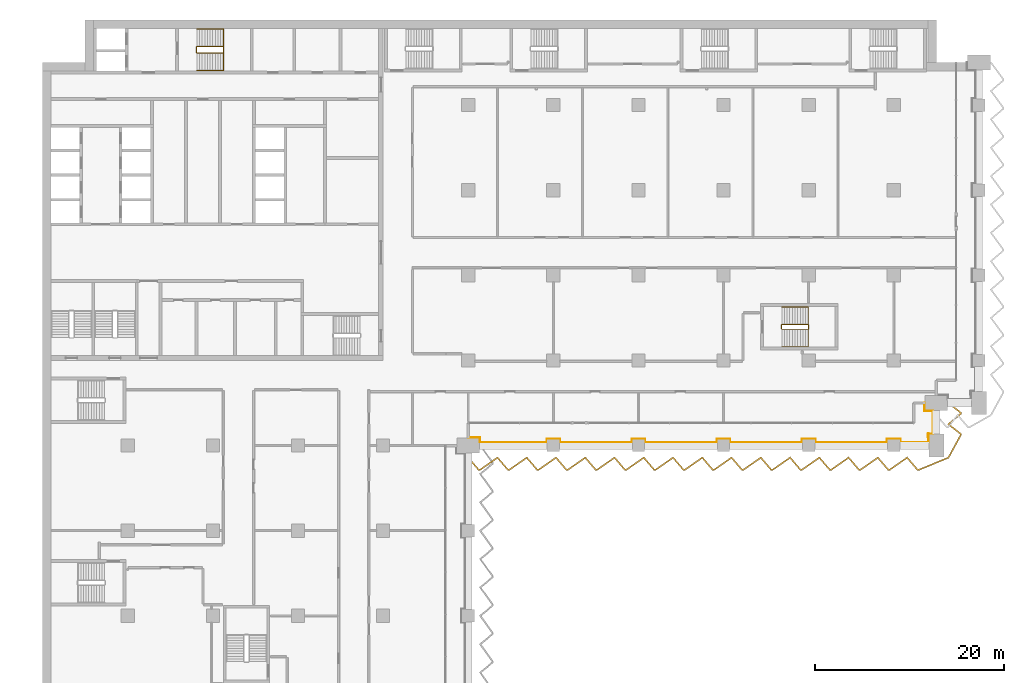
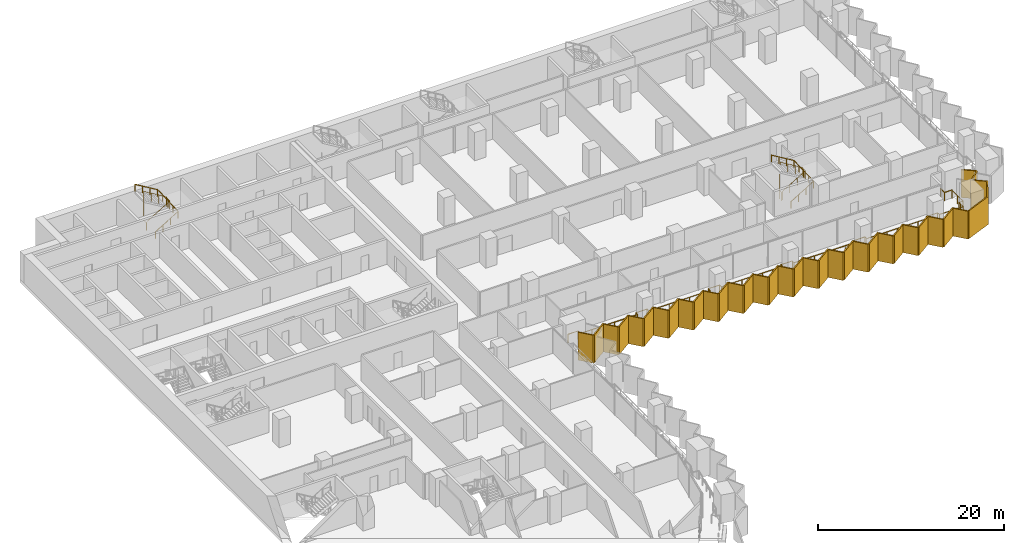
# One storey, part 27 of 29: 5 railings, 1 shading device.
"""IFC4 building model written with IfcOpenShell, lengths in metres."""

from ifc_helpers import new_model, si_unit, direction, frame, origin, origin_2d, place, context, subcontext, project, spatial, polyline, circle, outline, extrude, material, layer, layer_set, type_object, element, save


model = new_model("IFC4")

# Units and contexts
model_context = context("Model", 3, precision=1e-05, world=origin(), true_north=direction((0.0, 1.0)))
body_context = subcontext(model_context, "Body", "Model", "MODEL_VIEW")
ifc_project = project(units=[si_unit("LENGTHUNIT", "METRE"), si_unit("AREAUNIT", "SQUARE_METRE"), si_unit("VOLUMEUNIT", "CUBIC_METRE"), si_unit("PLANEANGLEUNIT", "RADIAN"), si_unit("MASSUNIT", "GRAM", prefix="KILO")], contexts=[model_context])

# Site, building, storey
site_placement = place(None, origin())
site = spatial("IfcSite", under=ifc_project, at=site_placement, CompositionType="ELEMENT")
building_placement = place(site_placement, origin())
building = spatial("IfcBuilding", under=site, at=building_placement, Name="Hunhe Ridgeline Campus", CompositionType="ELEMENT")
storey_placement = place(building_placement, frame((0.0, 0.0, 54.300048828125)))
storey = spatial("IfcBuildingStorey", under=building, at=storey_placement, Name="L12", CompositionType="ELEMENT", Elevation=54.300048828125)

# Railing
ifc_material_1 = material(Name="Steel Q355", Category="steel")
railing_type_1 = type_object("IfcRailingType", Name="Loggia guard 1100 Steel Q355", PredefinedType="GUARDRAIL", material=ifc_material_1)
railing_1_placement = place(storey_placement, frame((45.0, 54.8701171875, 0.0)))
element("IfcRailing", 1, at=railing_1_placement, inside=storey, type_object=railing_type_1, Name="Loggia guard 2", PredefinedType="GUARDRAIL", context=body_context, shape_type="SweptSolid", body=[
    extrude(circle(Radius=0.02392578125, at=origin_2d()), frame((0.0, 0.0, 1.076171875), z_axis=(1.0, 0.0, 0.0), x_axis=(0.0, 1.0, 0.0)), (0.0, 0.0, 1.0), 1.25),
    extrude(circle(Radius=0.02392578125, at=origin_2d()), frame((1.25, 0.0, 1.076171875), z_axis=(0.0, -1.0, 0.0), x_axis=(1.0, 0.0, 0.0)), (0.0, 0.0, 1.0), 0.52001953125),
    extrude(circle(Radius=0.02392578125, at=origin_2d()), frame((1.25, -0.52001953125, 1.076171875), z_axis=(1.0, 0.0, 0.0), x_axis=(0.0, 1.0, 0.0)), (0.0, 0.0, 1.0), 7.050048828125),
    extrude(circle(Radius=0.02392578125, at=origin_2d()), frame((8.300048828125, -0.52001953125, 1.076171875), z_axis=(0.0, 1.0, 0.0), x_axis=(-1.0, 0.0, 0.0)), (0.0, 0.0, 1.0), 0.369873046875),
    extrude(circle(Radius=0.02392578125, at=origin_2d()), frame((8.300048828125, -0.150146484375, 1.076171875), z_axis=(1.0, 0.0, 0.0), x_axis=(0.0, 1.0, 0.0)), (0.0, 0.0, 1.0), 1.39990234375),
    extrude(circle(Radius=0.02392578125, at=origin_2d()), frame((9.699951171875, -0.150146484375, 1.076171875), z_axis=(0.0, -1.0, 0.0), x_axis=(1.0, 0.0, 0.0)), (0.0, 0.0, 1.0), 0.369873046875),
    extrude(circle(Radius=0.02392578125, at=origin_2d()), frame((9.699951171875, -0.52001953125, 1.076171875), z_axis=(1.0, 0.0, 0.0), x_axis=(0.0, 1.0, 0.0)), (0.0, 0.0, 1.0), 7.60009765625),
    extrude(circle(Radius=0.02392578125, at=origin_2d()), frame((17.300048828125, -0.52001953125, 1.076171875), z_axis=(0.0, 1.0, 0.0), x_axis=(-1.0, 0.0, 0.0)), (0.0, 0.0, 1.0), 0.369873046875),
    extrude(circle(Radius=0.02392578125, at=origin_2d()), frame((17.300048828125, -0.150146484375, 1.076171875), z_axis=(1.0, 0.0, 0.0), x_axis=(0.0, 1.0, 0.0)), (0.0, 0.0, 1.0), 1.39990234375),
    extrude(circle(Radius=0.02392578125, at=origin_2d()), frame((18.699951171875, -0.150146484375, 1.076171875), z_axis=(0.0, -1.0, 0.0), x_axis=(1.0, 0.0, 0.0)), (0.0, 0.0, 1.0), 0.369873046875),
    extrude(circle(Radius=0.02392578125, at=origin_2d()), frame((18.699951171875, -0.52001953125, 1.076171875), z_axis=(1.0, 0.0, 0.0), x_axis=(0.0, 1.0, 0.0)), (0.0, 0.0, 1.0), 7.60009765625),
    extrude(circle(Radius=0.02392578125, at=origin_2d()), frame((26.300048828125, -0.52001953125, 1.076171875), z_axis=(0.0, 1.0, 0.0), x_axis=(-1.0, 0.0, 0.0)), (0.0, 0.0, 1.0), 0.369873046875),
    extrude(circle(Radius=0.02392578125, at=origin_2d()), frame((26.300048828125, -0.150146484375, 1.076171875), z_axis=(1.0, 0.0, 0.0), x_axis=(0.0, 1.0, 0.0)), (0.0, 0.0, 1.0), 1.39990234375),
    extrude(circle(Radius=0.02392578125, at=origin_2d()), frame((27.699951171875, -0.150146484375, 1.076171875), z_axis=(0.0, -1.0, 0.0), x_axis=(1.0, 0.0, 0.0)), (0.0, 0.0, 1.0), 0.369873046875),
    extrude(circle(Radius=0.02392578125, at=origin_2d()), frame((27.699951171875, -0.52001953125, 1.076171875), z_axis=(1.0, 0.0, 0.0), x_axis=(0.0, 1.0, 0.0)), (0.0, 0.0, 1.0), 7.60009765625),
    extrude(circle(Radius=0.02392578125, at=origin_2d()), frame((35.300048828125, -0.52001953125, 1.076171875), z_axis=(0.0, 1.0, 0.0), x_axis=(-1.0, 0.0, 0.0)), (0.0, 0.0, 1.0), 0.369873046875),
    extrude(circle(Radius=0.02392578125, at=origin_2d()), frame((35.300048828125, -0.150146484375, 1.076171875), z_axis=(1.0, 0.0, 0.0), x_axis=(0.0, 1.0, 0.0)), (0.0, 0.0, 1.0), 1.39990234375),
    extrude(circle(Radius=0.02392578125, at=origin_2d()), frame((36.699951171875, -0.150146484375, 1.076171875), z_axis=(0.0, -1.0, 0.0), x_axis=(1.0, 0.0, 0.0)), (0.0, 0.0, 1.0), 0.369873046875),
    extrude(circle(Radius=0.02392578125, at=origin_2d()), frame((36.699951171875, -0.52001953125, 1.076171875), z_axis=(1.0, 0.0, 0.0), x_axis=(0.0, 1.0, 0.0)), (0.0, 0.0, 1.0), 7.60009765625),
    extrude(circle(Radius=0.02392578125, at=origin_2d()), frame((44.300048828125, -0.52001953125, 1.076171875), z_axis=(0.0, 1.0, 0.0), x_axis=(-1.0, 0.0, 0.0)), (0.0, 0.0, 1.0), 0.369873046875),
    extrude(circle(Radius=0.02392578125, at=origin_2d()), frame((44.300048828125, -0.150146484375, 1.076171875), z_axis=(1.0, 0.0, 0.0), x_axis=(0.0, 1.0, 0.0)), (0.0, 0.0, 1.0), 1.39990234375),
    extrude(circle(Radius=0.02392578125, at=origin_2d()), frame((45.699951171875, -0.150146484375, 1.076171875), z_axis=(0.0, -1.0, 0.0), x_axis=(1.0, 0.0, 0.0)), (0.0, 0.0, 1.0), 0.369873046875),
    extrude(circle(Radius=0.02392578125, at=origin_2d()), frame((45.699951171875, -0.52001953125, 1.076171875), z_axis=(1.0, 0.0, 0.0), x_axis=(0.0, 1.0, 0.0)), (0.0, 0.0, 1.0), 2.949951171875),
    extrude(circle(Radius=0.02392578125, at=origin_2d()), frame((48.64990234375, -0.52001953125, 1.076171875), z_axis=(0.0, 1.0, 0.0), x_axis=(-1.0, 0.0, 0.0)), (0.0, 0.0, 1.0), 0.919921875),
    extrude(circle(Radius=0.02392578125, at=origin_2d()), frame((48.64990234375, 0.39990234375, 1.076171875), z_axis=(-0.049998438503, -0.998749295943, 0.0), x_axis=(0.998749295943, -0.049998438503, 0.0)), (0.0, 0.0, 1.0), 0.400390625),
    extrude(circle(Radius=0.02392578125, at=origin_2d()), frame((48.6298828125, 0.0, 1.076171875), z_axis=(0.0, 1.0, 0.0), x_axis=(-1.0, 0.0, 0.0)), (0.0, 0.0, 1.0), 0.3798828125),
    extrude(circle(Radius=0.02392578125, at=origin_2d()), frame((48.6298828125, 0.3798828125, 1.076171875), z_axis=(1.0, 0.0, 0.0), x_axis=(0.0, 1.0, 0.0)), (0.0, 0.0, 1.0), 0.52001953125),
    extrude(circle(Radius=0.02392578125, at=origin_2d()), frame((49.14990234375, 0.3798828125, 1.076171875), z_axis=(0.0, 1.0, 0.0), x_axis=(-1.0, 0.0, 0.0)), (0.0, 0.0, 1.0), 2.39990234375),
    extrude(circle(Radius=0.02392578125, at=origin_2d()), frame((49.14990234375, 2.77978515625, 1.076171875), z_axis=(-1.0, 0.0, 0.0), x_axis=(0.0, -1.0, 0.0)), (0.0, 0.0, 1.0), 0.919921875),
    extrude(circle(Radius=0.02392578125, at=origin_2d()), frame((48.22998046875, 2.77978515625, 1.076171875), z_axis=(0.0, 1.0, 0.0), x_axis=(-1.0, 0.0, 0.0)), (0.0, 0.0, 1.0), 0.85009765625),
    extrude(circle(Radius=0.02099609375, at=origin_2d()), origin(), (0.0, 0.0, 1.0), 1.052001953125),
    extrude(circle(Radius=0.02099609375, at=origin_2d()), frame((1.25, 0.0, 0.0)), (0.0, 0.0, 1.0), 1.052001953125),
    extrude(circle(Radius=0.02099609375, at=origin_2d()), frame((1.25, -0.52001953125, 0.0)), (0.0, 0.0, 1.0), 1.052001953125),
    extrude(circle(Radius=0.02099609375, at=origin_2d()), frame((2.659912109375, -0.52001953125, 0.0)), (0.0, 0.0, 1.0), 1.052001953125),
    extrude(circle(Radius=0.02099609375, at=origin_2d()), frame((4.070068359375, -0.52001953125, 0.0)), (0.0, 0.0, 1.0), 1.052001953125),
    extrude(circle(Radius=0.02099609375, at=origin_2d()), frame((5.47998046875, -0.52001953125, 0.0)), (0.0, 0.0, 1.0), 1.052001953125),
    extrude(circle(Radius=0.02099609375, at=origin_2d()), frame((6.89013671875, -0.52001953125, 0.0)), (0.0, 0.0, 1.0), 1.052001953125),
    extrude(circle(Radius=0.02099609375, at=origin_2d()), frame((8.300048828125, -0.52001953125, 0.0)), (0.0, 0.0, 1.0), 1.052001953125),
    extrude(circle(Radius=0.02099609375, at=origin_2d()), frame((8.300048828125, -0.150146484375, 0.0)), (0.0, 0.0, 1.0), 1.052001953125),
    extrude(circle(Radius=0.02099609375, at=origin_2d()), frame((9.699951171875, -0.150146484375, 0.0)), (0.0, 0.0, 1.0), 1.052001953125),
    extrude(circle(Radius=0.02099609375, at=origin_2d()), frame((9.699951171875, -0.52001953125, 0.0)), (0.0, 0.0, 1.0), 1.052001953125),
    extrude(circle(Radius=0.02099609375, at=origin_2d()), frame((10.966552734375, -0.52001953125, 0.0)), (0.0, 0.0, 1.0), 1.052001953125),
    extrude(circle(Radius=0.02099609375, at=origin_2d()), frame((12.2333984375, -0.52001953125, 0.0)), (0.0, 0.0, 1.0), 1.052001953125),
    extrude(circle(Radius=0.02099609375, at=origin_2d()), frame((13.5, -0.52001953125, 0.0)), (0.0, 0.0, 1.0), 1.052001953125),
    extrude(circle(Radius=0.02099609375, at=origin_2d()), frame((14.7666015625, -0.52001953125, 0.0)), (0.0, 0.0, 1.0), 1.052001953125),
    extrude(circle(Radius=0.02099609375, at=origin_2d()), frame((16.033447265625, -0.52001953125, 0.0)), (0.0, 0.0, 1.0), 1.052001953125),
    extrude(circle(Radius=0.02099609375, at=origin_2d()), frame((17.300048828125, -0.52001953125, 0.0)), (0.0, 0.0, 1.0), 1.052001953125),
    extrude(circle(Radius=0.02099609375, at=origin_2d()), frame((17.300048828125, -0.150146484375, 0.0)), (0.0, 0.0, 1.0), 1.052001953125),
    extrude(circle(Radius=0.02099609375, at=origin_2d()), frame((18.699951171875, -0.150146484375, 0.0)), (0.0, 0.0, 1.0), 1.052001953125),
    extrude(circle(Radius=0.02099609375, at=origin_2d()), frame((18.699951171875, -0.52001953125, 0.0)), (0.0, 0.0, 1.0), 1.052001953125),
    extrude(circle(Radius=0.02099609375, at=origin_2d()), frame((19.966552734375, -0.52001953125, 0.0)), (0.0, 0.0, 1.0), 1.052001953125),
    extrude(circle(Radius=0.02099609375, at=origin_2d()), frame((21.2333984375, -0.52001953125, 0.0)), (0.0, 0.0, 1.0), 1.052001953125),
    extrude(circle(Radius=0.02099609375, at=origin_2d()), frame((22.5, -0.52001953125, 0.0)), (0.0, 0.0, 1.0), 1.052001953125),
    extrude(circle(Radius=0.02099609375, at=origin_2d()), frame((23.7666015625, -0.52001953125, 0.0)), (0.0, 0.0, 1.0), 1.052001953125),
    extrude(circle(Radius=0.02099609375, at=origin_2d()), frame((25.033447265625, -0.52001953125, 0.0)), (0.0, 0.0, 1.0), 1.052001953125),
    extrude(circle(Radius=0.02099609375, at=origin_2d()), frame((26.300048828125, -0.52001953125, 0.0)), (0.0, 0.0, 1.0), 1.052001953125),
    extrude(circle(Radius=0.02099609375, at=origin_2d()), frame((26.300048828125, -0.150146484375, 0.0)), (0.0, 0.0, 1.0), 1.052001953125),
    extrude(circle(Radius=0.02099609375, at=origin_2d()), frame((27.699951171875, -0.150146484375, 0.0)), (0.0, 0.0, 1.0), 1.052001953125),
    extrude(circle(Radius=0.02099609375, at=origin_2d()), frame((27.699951171875, -0.52001953125, 0.0)), (0.0, 0.0, 1.0), 1.052001953125),
    extrude(circle(Radius=0.02099609375, at=origin_2d()), frame((28.966552734375, -0.52001953125, 0.0)), (0.0, 0.0, 1.0), 1.052001953125),
    extrude(circle(Radius=0.02099609375, at=origin_2d()), frame((30.2333984375, -0.52001953125, 0.0)), (0.0, 0.0, 1.0), 1.052001953125),
    extrude(circle(Radius=0.02099609375, at=origin_2d()), frame((31.5, -0.52001953125, 0.0)), (0.0, 0.0, 1.0), 1.052001953125),
    extrude(circle(Radius=0.02099609375, at=origin_2d()), frame((32.7666015625, -0.52001953125, 0.0)), (0.0, 0.0, 1.0), 1.052001953125),
    extrude(circle(Radius=0.02099609375, at=origin_2d()), frame((34.033447265625, -0.52001953125, 0.0)), (0.0, 0.0, 1.0), 1.052001953125),
    extrude(circle(Radius=0.02099609375, at=origin_2d()), frame((35.300048828125, -0.52001953125, 0.0)), (0.0, 0.0, 1.0), 1.052001953125),
    extrude(circle(Radius=0.02099609375, at=origin_2d()), frame((35.300048828125, -0.150146484375, 0.0)), (0.0, 0.0, 1.0), 1.052001953125),
    extrude(circle(Radius=0.02099609375, at=origin_2d()), frame((36.699951171875, -0.150146484375, 0.0)), (0.0, 0.0, 1.0), 1.052001953125),
    extrude(circle(Radius=0.02099609375, at=origin_2d()), frame((36.699951171875, -0.52001953125, 0.0)), (0.0, 0.0, 1.0), 1.052001953125),
    extrude(circle(Radius=0.02099609375, at=origin_2d()), frame((37.966552734375, -0.52001953125, 0.0)), (0.0, 0.0, 1.0), 1.052001953125),
    extrude(circle(Radius=0.02099609375, at=origin_2d()), frame((39.2333984375, -0.52001953125, 0.0)), (0.0, 0.0, 1.0), 1.052001953125),
    extrude(circle(Radius=0.02099609375, at=origin_2d()), frame((40.5, -0.52001953125, 0.0)), (0.0, 0.0, 1.0), 1.052001953125),
    extrude(circle(Radius=0.02099609375, at=origin_2d()), frame((41.7666015625, -0.52001953125, 0.0)), (0.0, 0.0, 1.0), 1.052001953125),
    extrude(circle(Radius=0.02099609375, at=origin_2d()), frame((43.033447265625, -0.52001953125, 0.0)), (0.0, 0.0, 1.0), 1.052001953125),
    extrude(circle(Radius=0.02099609375, at=origin_2d()), frame((44.300048828125, -0.52001953125, 0.0)), (0.0, 0.0, 1.0), 1.052001953125),
    extrude(circle(Radius=0.02099609375, at=origin_2d()), frame((44.300048828125, -0.150146484375, 0.0)), (0.0, 0.0, 1.0), 1.052001953125),
    extrude(circle(Radius=0.02099609375, at=origin_2d()), frame((45.699951171875, -0.150146484375, 0.0)), (0.0, 0.0, 1.0), 1.052001953125),
    extrude(circle(Radius=0.02099609375, at=origin_2d()), frame((45.699951171875, -0.52001953125, 0.0)), (0.0, 0.0, 1.0), 1.052001953125),
    extrude(circle(Radius=0.02099609375, at=origin_2d()), frame((47.1748046875, -0.52001953125, 0.0)), (0.0, 0.0, 1.0), 1.052001953125),
    extrude(circle(Radius=0.02099609375, at=origin_2d()), frame((48.64990234375, -0.52001953125, 0.0)), (0.0, 0.0, 1.0), 1.052001953125),
    extrude(circle(Radius=0.02099609375, at=origin_2d()), frame((48.64990234375, 0.39990234375, 0.0)), (0.0, 0.0, 1.0), 1.052001953125),
    extrude(circle(Radius=0.02099609375, at=origin_2d()), frame((48.6298828125, 0.0, 0.0)), (0.0, 0.0, 1.0), 1.052001953125),
    extrude(circle(Radius=0.02099609375, at=origin_2d()), frame((48.6298828125, 0.3798828125, 0.0)), (0.0, 0.0, 1.0), 1.052001953125),
    extrude(circle(Radius=0.02099609375, at=origin_2d()), frame((49.14990234375, 0.3798828125, 0.0)), (0.0, 0.0, 1.0), 1.052001953125),
    extrude(circle(Radius=0.02099609375, at=origin_2d()), frame((49.14990234375, 1.579833984375, 0.0)), (0.0, 0.0, 1.0), 1.052001953125),
    extrude(circle(Radius=0.02099609375, at=origin_2d()), frame((49.14990234375, 2.77978515625, 0.0)), (0.0, 0.0, 1.0), 1.052001953125),
    extrude(circle(Radius=0.02099609375, at=origin_2d()), frame((48.22998046875, 2.77978515625, 0.0)), (0.0, 0.0, 1.0), 1.052001953125),
    extrude(circle(Radius=0.02099609375, at=origin_2d()), frame((48.22998046875, 3.6298828125, 0.0)), (0.0, 0.0, 1.0), 1.052001953125),
])

# Shading device
ifc_material_2 = material(Name="Concrete C50", Category="concrete")
ifc_layer = layer(ifc_material_2, 0.14990234375)
ifc_layer_set = layer_set([ifc_layer], Name="Sawtooth concrete fin 150 Concrete C50")
shading_device_type = type_object("IfcShadingDeviceType", Name="Sawtooth concrete fin 150 Concrete C50", PredefinedType="USERDEFINED", material=ifc_layer_set)
shading_device_placement = place(storey_placement, frame((0.0, 0.0, -0.949951171875)))
element("IfcShadingDevice", 2, at=shading_device_placement, inside=storey, type_object=shading_device_type, Name="Concrete fin screen 2", ObjectType="FIN", PredefinedType="USERDEFINED", context=body_context, shape_type="SweptSolid", body=[
    extrude(outline(polyline([(45.05712890625, 52.773681640625), (44.94287109375, 52.67626953125), (46.07470703125, 51.35009765625), (46.2529296875, 51.35009765625), (48.080810546875, 52.62451171875), (49.16845703125, 51.35009765625), (49.3466796875, 51.35009765625), (51.174560546875, 52.62451171875), (52.26220703125, 51.35009765625), (52.4404296875, 51.35009765625), (54.268310546875, 52.62451171875), (55.35595703125, 51.35009765625), (55.5341796875, 51.35009765625), (57.362060546875, 52.62451171875), (58.44970703125, 51.35009765625), (58.6279296875, 51.35009765625), (60.455810546875, 52.62451171875), (61.54345703125, 51.35009765625), (61.7216796875, 51.35009765625), (63.549560546875, 52.62451171875), (64.63720703125, 51.35009765625), (64.8154296875, 51.35009765625), (66.643310546875, 52.62451171875), (67.73095703125, 51.35009765625), (67.9091796875, 51.35009765625), (69.737060546875, 52.62451171875), (70.82470703125, 51.35009765625), (71.0029296875, 51.35009765625), (72.830810546875, 52.62451171875), (73.91845703125, 51.35009765625), (74.0966796875, 51.35009765625), (75.924560546875, 52.62451171875), (77.01220703125, 51.35009765625), (77.1904296875, 51.35009765625), (79.018310546875, 52.62451171875), (80.10595703125, 51.35009765625), (80.2841796875, 51.35009765625), (82.112060546875, 52.62451171875), (83.19970703125, 51.35009765625), (83.3779296875, 51.35009765625), (85.205810546875, 52.62451171875), (86.29345703125, 51.35009765625), (86.4716796875, 51.35009765625), (88.299560546875, 52.62451171875), (89.38720703125, 51.35009765625), (89.5654296875, 51.35009765625), (91.393310546875, 52.62451171875), (92.48095703125, 51.35009765625), (92.650390625, 51.35009765625), (95.828125, 52.665771484375), (97.14990234375, 55.090087890625), (97.14990234375, 55.265869140625), (95.893310546875, 56.25244140625), (97.14990234375, 57.32470703125), (97.14990234375, 57.515869140625), (95.8212890625, 58.55908203125), (95.728759765625, 58.44091796875), (97.0, 57.44287109375), (97.0, 57.393798828125), (95.65673828125, 56.24755859375), (97.0, 55.19287109375), (97.0, 55.12841796875), (95.721923828125, 52.7841796875), (92.62060546875, 51.5), (92.550048828125, 51.5), (91.419189453125, 52.825439453125), (89.518310546875, 51.5), (89.456298828125, 51.5), (88.325439453125, 52.825439453125), (86.424560546875, 51.5), (86.362548828125, 51.5), (85.231689453125, 52.825439453125), (83.330810546875, 51.5), (83.268798828125, 51.5), (82.137939453125, 52.825439453125), (80.237060546875, 51.5), (80.175048828125, 51.5), (79.044189453125, 52.825439453125), (77.143310546875, 51.5), (77.081298828125, 51.5), (75.950439453125, 52.825439453125), (74.049560546875, 51.5), (73.987548828125, 51.5), (72.856689453125, 52.825439453125), (70.955810546875, 51.5), (70.893798828125, 51.5), (69.762939453125, 52.825439453125), (67.862060546875, 51.5), (67.800048828125, 51.5), (66.669189453125, 52.825439453125), (64.768310546875, 51.5), (64.706298828125, 51.5), (63.575439453125, 52.825439453125), (61.674560546875, 51.5), (61.612548828125, 51.5), (60.481689453125, 52.825439453125), (58.580810546875, 51.5), (58.518798828125, 51.5), (57.387939453125, 52.825439453125), (55.487060546875, 51.5), (55.425048828125, 51.5), (54.294189453125, 52.825439453125), (52.393310546875, 51.5), (52.331298828125, 51.5), (51.200439453125, 52.825439453125), (49.299560546875, 51.5), (49.237548828125, 51.5), (48.106689453125, 52.825439453125), (46.205810546875, 51.5), (46.143798828125, 51.5), (45.05712890625, 52.773681640625)])), origin(), (0.0, 0.0, 1.0), 3.64990234375),
])

# Railings
ifc_material_3 = material(Name="Stainless steel balustrade", Category="steel")
railing_type_2 = type_object("IfcRailingType", Name="Stair guard 1100 stainless", PredefinedType="GUARDRAIL", material=ifc_material_3)
railing_2_placement = place(storey_placement, frame((16.300048828125, 95.5, 0.168212890625)))
element("IfcRailing", 3, at=railing_2_placement, inside=storey, type_object=railing_type_2, Name="L12 stair S1 guard", PredefinedType="GUARDRAIL", context=body_context, shape_type="SweptSolid", body=[
    extrude(circle(Radius=0.02392578125, at=origin_2d()), frame((0.0, 0.0, 1.076171875), z_axis=(0.857275202839, 0.0, 0.514858452973), x_axis=(0.0, 1.0, 0.0)), (0.0, 0.0, 1.0), 3.26611328125),
    extrude(circle(Radius=0.02392578125, at=origin_2d()), frame((2.800048828125, 0.0, 2.7578125), z_axis=(0.705375805398, 0.708833529934, 0.0), x_axis=(-0.708833529934, 0.705375805398, 0.0)), (0.0, 0.0, 1.0), 0.070556640625),
    extrude(circle(Radius=0.02392578125, at=origin_2d()), frame((2.849853515625, 0.050048828125, 2.7578125), z_axis=(0.0, 1.0, 0.0), x_axis=(-1.0, 0.0, 0.0)), (0.0, 0.0, 1.0), 0.599853515625),
    extrude(circle(Radius=0.02392578125, at=origin_2d()), frame((2.849853515625, 0.64990234375, 2.7578125), z_axis=(-0.273006030465, 0.27434429532, 0.922064485248), x_axis=(-0.708833529934, -0.705375805398, 0.0)), (0.0, 0.0, 1.0), 0.182373046875),
    extrude(circle(Radius=0.02392578125, at=origin_2d()), frame((2.800048828125, 0.699951171875, 2.92578125), z_axis=(-0.857242210791, 0.0, 0.514913383045), x_axis=(0.0, -1.0, 0.0)), (0.0, 0.0, 1.0), 3.266357421875),
    extrude(circle(Radius=0.02392578125, at=origin_2d()), frame((0.0, 0.699951171875, 4.60791015625), z_axis=(-0.013524414389, -0.013524414389, -0.999817073484), x_axis=(0.707106781187, -0.707106781187, 0.0)), (0.0, 0.0, 1.0), 3.70068359375),
    extrude(circle(Radius=0.02392578125, at=origin_2d()), frame((-0.050048828125, 0.64990234375, 0.90771484375), z_axis=(0.0, -1.0, 0.0), x_axis=(1.0, 0.0, 0.0)), (0.0, 0.0, 1.0), 0.599853515625),
    extrude(circle(Radius=0.02099609375, at=origin_2d()), origin(), (0.0, 0.0, 1.0), 1.052001953125),
    extrude(circle(Radius=0.02099609375, at=origin_2d()), frame((0.933349609375, 0.0, 0.560546875)), (0.0, 0.0, 1.0), 1.052001953125),
    extrude(circle(Radius=0.02099609375, at=origin_2d()), frame((1.86669921875, 0.0, 1.12109375)), (0.0, 0.0, 1.0), 1.052001953125),
    extrude(circle(Radius=0.02099609375, at=origin_2d()), frame((2.800048828125, 0.0, 1.681640625)), (0.0, 0.0, 1.0), 1.052001953125),
    extrude(circle(Radius=0.02099609375, at=origin_2d()), frame((2.849853515625, 0.050048828125, 1.681640625)), (0.0, 0.0, 1.0), 1.052001953125),
    extrude(circle(Radius=0.02099609375, at=origin_2d()), frame((2.849853515625, 0.64990234375, 1.681640625)), (0.0, 0.0, 1.0), 1.052001953125),
    extrude(circle(Radius=0.02099609375, at=origin_2d()), frame((2.800048828125, 0.699951171875, 1.849853515625)), (0.0, 0.0, 1.0), 1.052001953125),
    extrude(circle(Radius=0.02099609375, at=origin_2d()), frame((1.86669921875, 0.699951171875, 2.410400390625)), (0.0, 0.0, 1.0), 1.052001953125),
    extrude(circle(Radius=0.02099609375, at=origin_2d()), frame((0.933349609375, 0.699951171875, 2.97119140625)), (0.0, 0.0, 1.0), 1.052001953125),
    extrude(circle(Radius=0.02099609375, at=origin_2d()), frame((0.0, 0.699951171875, 3.53173828125)), (0.0, 0.0, 1.0), 1.052001953125),
    extrude(circle(Radius=0.02099609375, at=origin_2d()), frame((-0.012451171875, 0.6875, 2.606689453125)), (0.0, 0.0, 1.0), 1.052001953125),
    extrude(circle(Radius=0.02099609375, at=origin_2d()), frame((-0.02490234375, 0.6748046875, 1.681640625)), (0.0, 0.0, 1.0), 1.052001953125),
    extrude(circle(Radius=0.02099609375, at=origin_2d()), frame((-0.03759765625, 0.662353515625, 0.7568359375)), (0.0, 0.0, 1.0), 1.052001953125),
    extrude(circle(Radius=0.02099609375, at=origin_2d()), frame((-0.050048828125, 0.64990234375, -0.168212890625)), (0.0, 0.0, 1.0), 1.052001953125),
    extrude(circle(Radius=0.02099609375, at=origin_2d()), frame((-0.050048828125, 0.050048828125, -0.168212890625)), (0.0, 0.0, 1.0), 1.052001953125),
])
railing_3_placement = place(storey_placement, frame((78.14990234375, 66.300048828125, 0.168212890625)))
element("IfcRailing", 4, at=railing_3_placement, inside=storey, type_object=railing_type_2, Name="L12 stair E5 guard", PredefinedType="GUARDRAIL", context=body_context, shape_type="SweptSolid", body=[
    extrude(circle(Radius=0.02392578125, at=origin_2d()), frame((0.0, 0.0, 1.076171875), z_axis=(0.857275202839, 0.0, 0.514858452973), x_axis=(0.0, 1.0, 0.0)), (0.0, 0.0, 1.0), 3.26611328125),
    extrude(circle(Radius=0.02392578125, at=origin_2d()), frame((2.800048828125, 0.0, 2.7578125), z_axis=(0.707106781187, 0.707106781187, 0.0), x_axis=(-0.707106781187, 0.707106781187, 0.0)), (0.0, 0.0, 1.0), 0.07080078125),
    extrude(circle(Radius=0.02392578125, at=origin_2d()), frame((2.85009765625, 0.050048828125, 2.7578125), z_axis=(0.0, 1.0, 0.0), x_axis=(-1.0, 0.0, 0.0)), (0.0, 0.0, 1.0), 0.39990234375),
    extrude(circle(Radius=0.02392578125, at=origin_2d()), frame((2.85009765625, 0.449951171875, 2.7578125), z_axis=(-0.274243871929, 0.274243871929, 0.92172696468), x_axis=(-0.707106781187, -0.707106781187, 0.0)), (0.0, 0.0, 1.0), 0.1826171875),
    extrude(circle(Radius=0.02392578125, at=origin_2d()), frame((2.800048828125, 0.5, 2.92578125), z_axis=(-0.857242210791, 0.0, 0.514913383045), x_axis=(0.0, -1.0, 0.0)), (0.0, 0.0, 1.0), 3.266357421875),
    extrude(circle(Radius=0.02392578125, at=origin_2d()), frame((0.0, 0.5, 4.60791015625), z_axis=(-0.013458453615, -0.013524426427, -0.999817963389), x_axis=(0.708833529934, -0.705375805398, 0.0)), (0.0, 0.0, 1.0), 3.70068359375),
    extrude(circle(Radius=0.02392578125, at=origin_2d()), frame((-0.0498046875, 0.449951171875, 0.90771484375), z_axis=(0.0, -1.0, 0.0), x_axis=(1.0, 0.0, 0.0)), (0.0, 0.0, 1.0), 0.39990234375),
    extrude(circle(Radius=0.02099609375, at=origin_2d()), origin(), (0.0, 0.0, 1.0), 1.052001953125),
    extrude(circle(Radius=0.02099609375, at=origin_2d()), frame((0.933349609375, 0.0, 0.560546875)), (0.0, 0.0, 1.0), 1.052001953125),
    extrude(circle(Radius=0.02099609375, at=origin_2d()), frame((1.86669921875, 0.0, 1.12109375)), (0.0, 0.0, 1.0), 1.052001953125),
    extrude(circle(Radius=0.02099609375, at=origin_2d()), frame((2.800048828125, 0.0, 1.681640625)), (0.0, 0.0, 1.0), 1.052001953125),
    extrude(circle(Radius=0.02099609375, at=origin_2d()), frame((2.85009765625, 0.050048828125, 1.681640625)), (0.0, 0.0, 1.0), 1.052001953125),
    extrude(circle(Radius=0.02099609375, at=origin_2d()), frame((2.85009765625, 0.449951171875, 1.681640625)), (0.0, 0.0, 1.0), 1.052001953125),
    extrude(circle(Radius=0.02099609375, at=origin_2d()), frame((2.800048828125, 0.5, 1.849853515625)), (0.0, 0.0, 1.0), 1.052001953125),
    extrude(circle(Radius=0.02099609375, at=origin_2d()), frame((1.86669921875, 0.5, 2.410400390625)), (0.0, 0.0, 1.0), 1.052001953125),
    extrude(circle(Radius=0.02099609375, at=origin_2d()), frame((0.933349609375, 0.5, 2.97119140625)), (0.0, 0.0, 1.0), 1.052001953125),
    extrude(circle(Radius=0.02099609375, at=origin_2d()), frame((0.0, 0.5, 3.53173828125)), (0.0, 0.0, 1.0), 1.052001953125),
    extrude(circle(Radius=0.02099609375, at=origin_2d()), frame((-0.012451171875, 0.487548828125, 2.606689453125)), (0.0, 0.0, 1.0), 1.052001953125),
    extrude(circle(Radius=0.02099609375, at=origin_2d()), frame((-0.02490234375, 0.47509765625, 1.681640625)), (0.0, 0.0, 1.0), 1.052001953125),
    extrude(circle(Radius=0.02099609375, at=origin_2d()), frame((-0.037353515625, 0.46240234375, 0.7568359375)), (0.0, 0.0, 1.0), 1.052001953125),
    extrude(circle(Radius=0.02099609375, at=origin_2d()), frame((-0.0498046875, 0.449951171875, -0.168212890625)), (0.0, 0.0, 1.0), 1.052001953125),
    extrude(circle(Radius=0.02099609375, at=origin_2d()), frame((-0.0498046875, 0.050048828125, -0.168212890625)), (0.0, 0.0, 1.0), 1.052001953125),
])
ifc_material_4 = material(Name="Stainless steel handrail", Category="steel")
railing_type_3 = type_object("IfcRailingType", Name="Stair handrail 900 stainless", PredefinedType="HANDRAIL", material=ifc_material_4)
railing_4_placement = place(storey_placement, frame((16.300048828125, 93.64990234375, 0.168212890625)))
element("IfcRailing", 5, at=railing_4_placement, inside=storey, type_object=railing_type_3, Name="L12 stair S1 handrail", PredefinedType="HANDRAIL", context=body_context, shape_type="SweptSolid", body=[
    extrude(circle(Radius=0.02392578125, at=origin_2d()), frame((0.0, 0.0, 0.8759765625), z_axis=(0.857275202839, 0.0, 0.514858452973), x_axis=(0.0, 1.0, 0.0)), (0.0, 0.0, 1.0), 3.26611328125),
    extrude(circle(Radius=0.02392578125, at=origin_2d()), frame((2.800048828125, 0.0, 2.5576171875), z_axis=(0.0, 0.999270074432, 0.038201025428), x_axis=(-1.0, 0.0, 0.0)), (0.0, 0.0, 1.0), 4.4033203125),
    extrude(circle(Radius=0.02392578125, at=origin_2d()), frame((2.800048828125, 4.400146484375, 2.7255859375), z_axis=(-0.857242210791, 0.0, 0.514913383045), x_axis=(0.0, -1.0, 0.0)), (0.0, 0.0, 1.0), 3.266357421875),
    extrude(circle(Radius=0.02099609375, at=origin_2d()), origin(), (0.0, 0.0, 1.0), 0.851806640625),
    extrude(circle(Radius=0.02099609375, at=origin_2d()), frame((0.933349609375, 0.0, 0.560546875)), (0.0, 0.0, 1.0), 0.851806640625),
    extrude(circle(Radius=0.02099609375, at=origin_2d()), frame((1.86669921875, 0.0, 1.12109375)), (0.0, 0.0, 1.0), 0.851806640625),
    extrude(circle(Radius=0.02099609375, at=origin_2d()), frame((2.800048828125, 0.0, 1.681640625)), (0.0, 0.0, 1.0), 0.851806640625),
    extrude(circle(Radius=0.02099609375, at=origin_2d()), frame((2.800048828125, 1.10009765625, 1.7236328125)), (0.0, 0.0, 1.0), 0.851806640625),
    extrude(circle(Radius=0.02099609375, at=origin_2d()), frame((2.800048828125, 2.2001953125, 1.765625)), (0.0, 0.0, 1.0), 0.851806640625),
    extrude(circle(Radius=0.02099609375, at=origin_2d()), frame((2.800048828125, 3.300048828125, 1.807861328125)), (0.0, 0.0, 1.0), 0.851806640625),
    extrude(circle(Radius=0.02099609375, at=origin_2d()), frame((2.800048828125, 4.400146484375, 1.849853515625)), (0.0, 0.0, 1.0), 0.851806640625),
    extrude(circle(Radius=0.02099609375, at=origin_2d()), frame((1.86669921875, 4.400146484375, 2.410400390625)), (0.0, 0.0, 1.0), 0.851806640625),
    extrude(circle(Radius=0.02099609375, at=origin_2d()), frame((0.933349609375, 4.400146484375, 2.97119140625)), (0.0, 0.0, 1.0), 0.851806640625),
    extrude(circle(Radius=0.02099609375, at=origin_2d()), frame((0.0, 4.400146484375, 3.53173828125)), (0.0, 0.0, 1.0), 0.851806640625),
])
railing_5_placement = place(storey_placement, frame((78.14990234375, 64.449951171875, 0.168212890625)))
element("IfcRailing", 6, at=railing_5_placement, inside=storey, type_object=railing_type_3, Name="L12 stair E5 handrail", PredefinedType="HANDRAIL", context=body_context, shape_type="SweptSolid", body=[
    extrude(circle(Radius=0.02392578125, at=origin_2d()), frame((0.0, 0.0, 0.8759765625), z_axis=(0.857275202839, 0.0, 0.514858452973), x_axis=(0.0, 1.0, 0.0)), (0.0, 0.0, 1.0), 3.26611328125),
    extrude(circle(Radius=0.02392578125, at=origin_2d()), frame((2.800048828125, 0.0, 2.5576171875), z_axis=(0.0, 0.999198916169, 0.040019069537), x_axis=(-1.0, 0.0, 0.0)), (0.0, 0.0, 1.0), 4.203369140625),
    extrude(circle(Radius=0.02392578125, at=origin_2d()), frame((2.800048828125, 4.199951171875, 2.7255859375), z_axis=(-0.857242210791, 0.0, 0.514913383045), x_axis=(0.0, -1.0, 0.0)), (0.0, 0.0, 1.0), 3.266357421875),
    extrude(circle(Radius=0.02099609375, at=origin_2d()), origin(), (0.0, 0.0, 1.0), 0.851806640625),
    extrude(circle(Radius=0.02099609375, at=origin_2d()), frame((0.933349609375, 0.0, 0.560546875)), (0.0, 0.0, 1.0), 0.851806640625),
    extrude(circle(Radius=0.02099609375, at=origin_2d()), frame((1.86669921875, 0.0, 1.12109375)), (0.0, 0.0, 1.0), 0.851806640625),
    extrude(circle(Radius=0.02099609375, at=origin_2d()), frame((2.800048828125, 0.0, 1.681640625)), (0.0, 0.0, 1.0), 0.851806640625),
    extrude(circle(Radius=0.02099609375, at=origin_2d()), frame((2.800048828125, 1.050048828125, 1.7236328125)), (0.0, 0.0, 1.0), 0.851806640625),
    extrude(circle(Radius=0.02099609375, at=origin_2d()), frame((2.800048828125, 2.10009765625, 1.765625)), (0.0, 0.0, 1.0), 0.851806640625),
    extrude(circle(Radius=0.02099609375, at=origin_2d()), frame((2.800048828125, 3.14990234375, 1.807861328125)), (0.0, 0.0, 1.0), 0.851806640625),
    extrude(circle(Radius=0.02099609375, at=origin_2d()), frame((2.800048828125, 4.199951171875, 1.849853515625)), (0.0, 0.0, 1.0), 0.851806640625),
    extrude(circle(Radius=0.02099609375, at=origin_2d()), frame((1.86669921875, 4.199951171875, 2.410400390625)), (0.0, 0.0, 1.0), 0.851806640625),
    extrude(circle(Radius=0.02099609375, at=origin_2d()), frame((0.933349609375, 4.199951171875, 2.97119140625)), (0.0, 0.0, 1.0), 0.851806640625),
    extrude(circle(Radius=0.02099609375, at=origin_2d()), frame((0.0, 4.199951171875, 3.53173828125)), (0.0, 0.0, 1.0), 0.851806640625),
])

save(model, "model.ifc")
